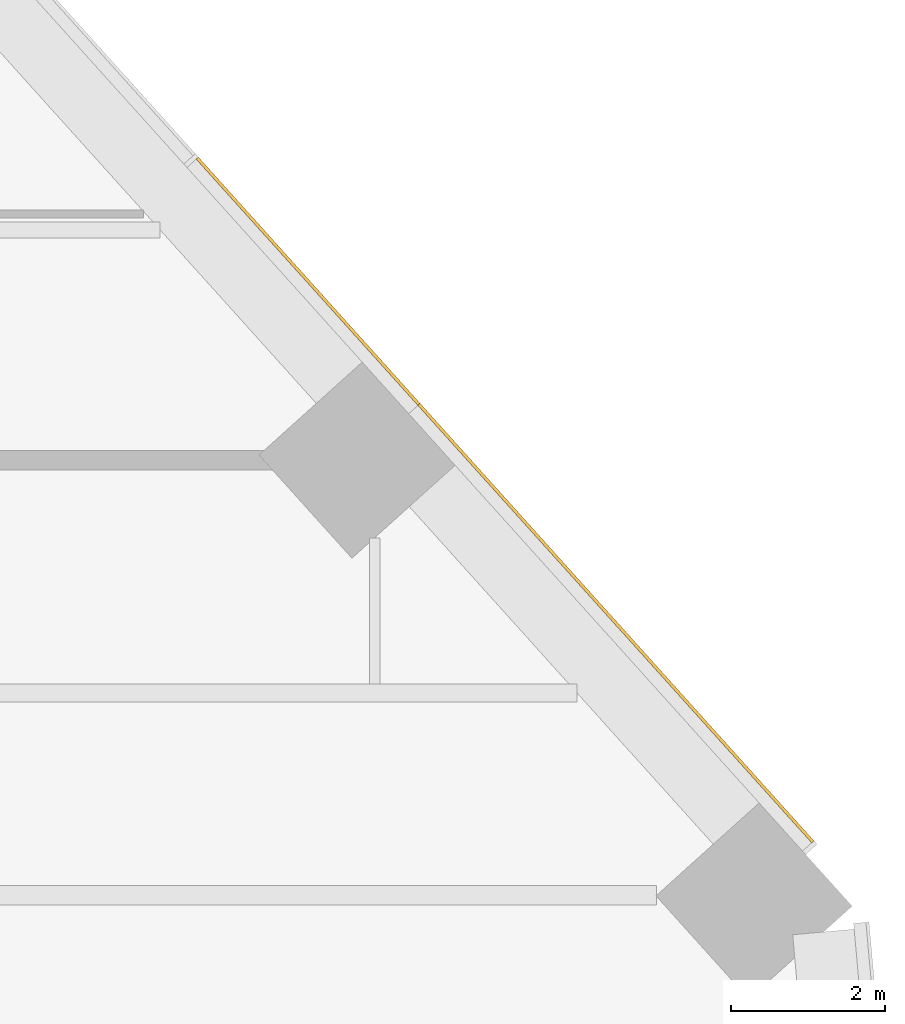
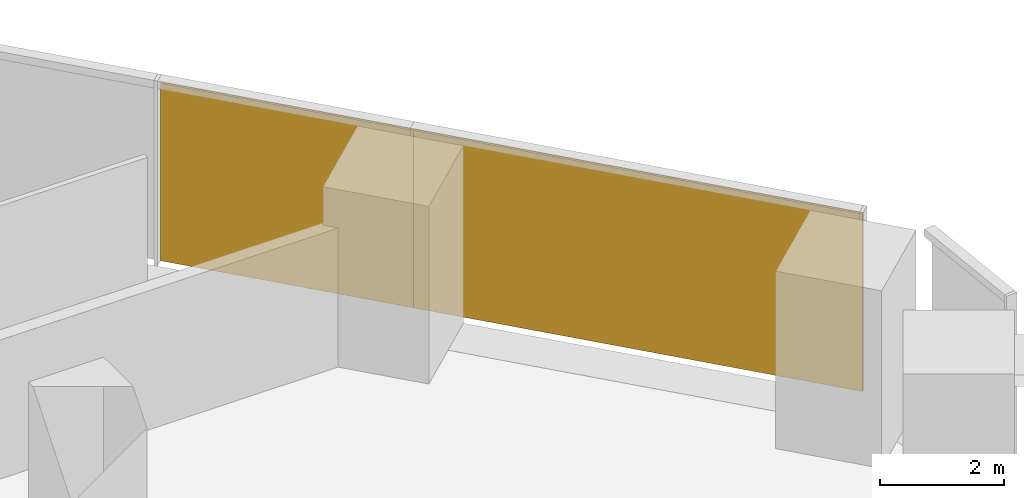
# One storey, part 21 of 21: 2 coverings, 1 element without a shape of its own.
"""IFC4 building model written with IfcOpenShell, lengths in metres."""

from ifc_helpers import new_model, si_unit, direction, frame, origin, origin_2d, place, context, subcontext, project, spatial, rectangle, extrude, material, layer, layer_set, type_object, element, aggregate, save


model = new_model("IFC4")

# Units and contexts
model_context = context("Model", 3, precision=1e-05, world=origin(), true_north=direction((0.0, 1.0)))
body_context = subcontext(model_context, "Body", "Model", "MODEL_VIEW")
ifc_project = project(units=[si_unit("LENGTHUNIT", "METRE"), si_unit("AREAUNIT", "SQUARE_METRE"), si_unit("VOLUMEUNIT", "CUBIC_METRE"), si_unit("PLANEANGLEUNIT", "RADIAN"), si_unit("MASSUNIT", "GRAM", prefix="KILO")], contexts=[model_context])

# Site, building, storey
site_placement = place(None, origin())
site = spatial("IfcSite", under=ifc_project, at=site_placement, CompositionType="ELEMENT")
building_placement = place(site_placement, origin())
building = spatial("IfcBuilding", under=site, at=building_placement, Name="Isthmus Gate Tower", CompositionType="ELEMENT")
storey_placement = place(building_placement, frame((0.0, 0.0, 46.949951171875)))
storey = spatial("IfcBuildingStorey", under=building, at=storey_placement, Name="L09", CompositionType="ELEMENT", Elevation=46.949951171875)

# Curtain wall, coverings
ifc_material_1 = material(Name="Aluminium, pale champagne anodised", Category="aluminium")
ifc_layer_1 = layer(ifc_material_1, 0.199951171875)
ifc_layer_set_1 = layer_set([ifc_layer_1], Name="CW-1 UNITISED CURTAIN WALL 200 DEEP")
curtain_wall_type = type_object("IfcCurtainWallType", Name="CW-1 UNITISED CURTAIN WALL 200 DEEP", PredefinedType="NOTDEFINED", material=ifc_layer_set_1)
curtain_wall_placement = place(storey_placement, origin())
curtain_wall = element("IfcCurtainWall", 1, at=curtain_wall_placement, inside=storey, type_object=curtain_wall_type, Name="CW-1 NE L09", PredefinedType="NOTDEFINED")
ifc_material_2 = material(Name="Aluminium composite panel, pale champagne anodised", Category="aluminium")
ifc_layer_2 = layer(ifc_material_2, 0.0400390625)
ifc_layer_set_2 = layer_set([ifc_layer_2], Name="CW-1 PALE METAL PANEL 40")
covering_type = type_object("IfcCoveringType", Name="CW-1 PALE METAL PANEL 40", PredefinedType="CLADDING", material=ifc_layer_set_2)
covering_1_placement = place(storey_placement, frame((34.79345703125, 8.405029296875, 0.0), z_axis=(0.0, 0.0, 1.0), x_axis=(-0.669130606359, 0.743144825477, 0.0)))
covering_1 = element("IfcCovering", 2, at=covering_1_placement, type_object=covering_type, Name="CW-1 pale metal panel", PredefinedType="CLADDING", context=body_context, shape_type="SweptSolid", body=[
    extrude(rectangle(XDim=7.62939453125, YDim=0.0400390625, at=origin_2d()), origin(), (0.0, 0.0, 1.0), 3.5),
])
covering_2_placement = place(storey_placement, frame((30.80419921875, 12.835693359375, 0.0), z_axis=(0.0, 0.0, 1.0), x_axis=(-0.669130606359, 0.743144825477, 0.0)))
covering_2 = element("IfcCovering", 3, at=covering_2_placement, type_object=covering_type, Name="CW-1 pale metal panel", PredefinedType="CLADDING", context=body_context, shape_type="SweptSolid", body=[
    extrude(rectangle(XDim=4.294677734375, YDim=0.0400390625, at=origin_2d()), origin(), (0.0, 0.0, 1.0), 3.5),
])
aggregate(curtain_wall, [covering_1, covering_2])

save(model, "model.ifc")
